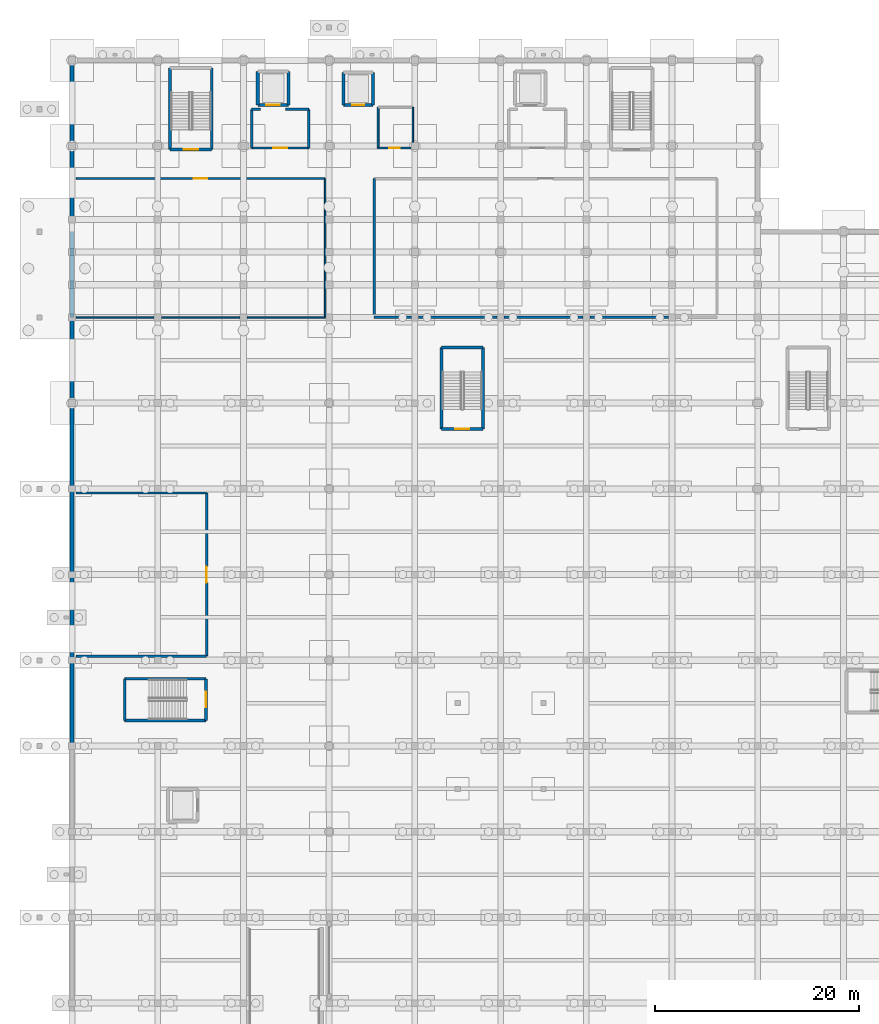
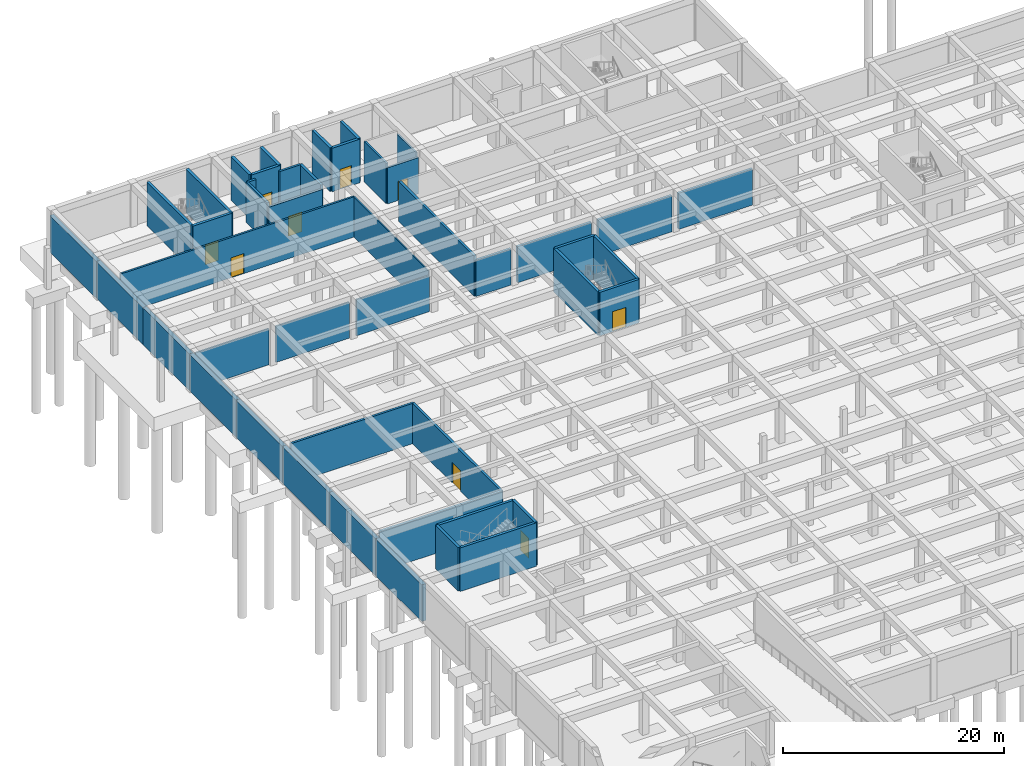
# One storey, part 26 of 51: 46 walls, 9 doors, 9 openings.
"""IFC4 building model written with IfcOpenShell, lengths in metres."""

import ifcopenshell
import ifcopenshell.guid

model = None  # the IFC model being written
_history = None  # IfcOwnerHistory: only IFC2X3 demands one
_inside = {}  # id of a spatial element -> (the spatial element, [elements in it])
_under = {}  # id of a project, library or spatial element -> (it, [spatial elements below it])
_declared = {}  # id of a project -> (the project, [libraries it declares])
_typed = {}  # id of a type object -> (the type object, [elements of that type])
_made_of = {}  # id of a material, layer set ... -> (it, [elements and type objects made of it])


def new_model(schema):
    """Start an empty IFC model of exactly this schema.

    Asked for "IFC4X3", IfcOpenShell would pick the latest addendum, in which some entities
    have other attributes; the version numbers below select the first issue.
    IFC2X3 requires an IfcOwnerHistory on every rooted entity: one is made here for all.
    """
    global model, _history
    if schema == "IFC4X3":
        model = ifcopenshell.file(schema_version=(4, 3, 0, 0))
    else:
        model = ifcopenshell.file(schema=schema)
    _inside.clear()
    _under.clear()
    _declared.clear()
    _typed.clear()
    _made_of.clear()
    _history = None
    if model.schema == "IFC2X3":
        org = make("IfcOrganization", Name="unknown")
        user = make(
            "IfcPersonAndOrganization",
            ThePerson=make("IfcPerson", FamilyName="unknown"),
            TheOrganization=org,
        )
        app = make(
            "IfcApplication",
            ApplicationDeveloper=org,
            Version="unknown",
            ApplicationFullName="unknown",
            ApplicationIdentifier="unknown",
        )
        _history = make(
            "IfcOwnerHistory",
            OwningUser=user,
            OwningApplication=app,
            ChangeAction="ADDED",
            CreationDate=0,
        )
    return model


def make(cls, **values):
    """One entity of the class cls with the attributes given. An attribute that is None is left unset."""
    return model.create_entity(
        cls, **{name: value for name, value in values.items() if value is not None}
    )


def rooted(cls, **values):
    """An entity with a GlobalId (a new one), such as an element, a storey or a relation."""
    return make(cls, GlobalId=ifcopenshell.guid.new(), OwnerHistory=_history, **values)


def si_unit(unit_type, name, prefix=None):
    """IfcSIUnit, for example si_unit("LENGTHUNIT", "METRE", prefix="MILLI")."""
    return make("IfcSIUnit", UnitType=unit_type, Prefix=prefix, Name=name)


def assignment(units):
    """IfcUnitAssignment: the units of a project."""
    return None if units is None else make("IfcUnitAssignment", Units=units)


def point(xyz):
    """IfcCartesianPoint."""
    return None if xyz is None else make("IfcCartesianPoint", Coordinates=xyz)


def direction(xyz):
    """IfcDirection."""
    return None if xyz is None else make("IfcDirection", DirectionRatios=xyz)


def frame(location, z_axis=None, x_axis=None):
    """IfcAxis2Placement3D, a coordinate frame: its origin and axes. An axis left out is left unset."""
    return make(
        "IfcAxis2Placement3D",
        Location=point(location),
        Axis=direction(z_axis),
        RefDirection=direction(x_axis),
    )


def frame_2d(location, x_axis=None):
    """IfcAxis2Placement2D, a coordinate frame in the plane: its origin and x axis."""
    return make(
        "IfcAxis2Placement2D", Location=point(location), RefDirection=direction(x_axis)
    )


def origin():
    """The frame at (0, 0, 0) with its axes left unset."""
    return frame((0.0, 0.0, 0.0))


def place(relative_to, where):
    """IfcLocalPlacement: puts the frame where relative to a parent placement (None: the world)."""
    return make(
        "IfcLocalPlacement", PlacementRelTo=relative_to, RelativePlacement=where
    )


def context(
    kind, dimensions, precision=None, world=None, true_north=None, identifier=None
):
    """IfcGeometricRepresentationContext, for example the 3D "Model" context."""
    return make(
        "IfcGeometricRepresentationContext",
        ContextIdentifier=identifier,
        ContextType=kind,
        CoordinateSpaceDimension=dimensions,
        Precision=precision,
        WorldCoordinateSystem=world,
        TrueNorth=true_north,
    )


def subcontext(parent, identifier, kind, view, scale=None):
    """IfcGeometricRepresentationSubContext, for example "Body" below "Model"."""
    return make(
        "IfcGeometricRepresentationSubContext",
        ContextIdentifier=identifier,
        ContextType=kind,
        ParentContext=parent,
        TargetScale=scale,
        TargetView=view,
    )


def project(units=None, contexts=None):
    """IfcProject with its units and contexts."""
    return rooted(
        "IfcProject",
        Name="project",
        RepresentationContexts=contexts,
        UnitsInContext=assignment(units),
    )


def spatial(cls, under=None, at=None, **own):
    """A site, building, storey or space (cls), placed at a placement, below another one or the project."""
    s = rooted(cls, ObjectPlacement=at, **own)
    if under is not None:
        _under.setdefault(under.id(), (under, []))[1].append(s)
    return s


def profile(cls, at=None, kind="AREA", **sizes):
    """A parametric profile (cls). Its sizes go by their IFC names, for example OverallWidth=200.0."""
    return make(cls, ProfileType=kind, Position=at, **sizes)


def rectangle(**sizes):
    """IfcRectangleProfileDef."""
    return profile("IfcRectangleProfileDef", **sizes)


def extrude(swept, where, along, depth):
    """IfcExtrudedAreaSolid: the profile swept, set in the frame where, extruded along a direction by depth."""
    return make(
        "IfcExtrudedAreaSolid",
        SweptArea=swept,
        Position=where,
        ExtrudedDirection=direction(along),
        Depth=depth,
    )


def shape(context_of_items, identifier, shape_type, items):
    """IfcShapeRepresentation: the items that make up one representation, for example the "Body"."""
    return make(
        "IfcShapeRepresentation",
        ContextOfItems=context_of_items,
        RepresentationIdentifier=identifier,
        RepresentationType=shape_type,
        Items=items,
    )


def material(Name=None, Category=None):
    """IfcMaterial."""
    return make("IfcMaterial", Name=Name, Category=Category)


def layer(
    of_material, thickness, ventilated=None, Name=None, Category=None, Priority=None
):
    """IfcMaterialLayer: one layer of a wall or slab, of a material (None: an air gap)."""
    return make(
        "IfcMaterialLayer",
        Material=of_material,
        LayerThickness=thickness,
        IsVentilated=ventilated,
        Name=Name,
        Category=Category,
        Priority=Priority,
    )


def layer_set(layers, Name=None):
    """IfcMaterialLayerSet."""
    return make("IfcMaterialLayerSet", MaterialLayers=layers, LayerSetName=Name)


def made_of(thing, what):
    """Note that an element or type object is made of a material, layer set ...; save() writes the relation."""
    if what is not None:
        _made_of.setdefault(what.id(), (what, []))[1].append(thing)
    return thing


def type_object(cls, material=None, **own):
    """A type object (cls), such as IfcWallType, which elements share."""
    return made_of(rooted(cls, **own), material)


def element(
    cls,
    number,
    at=None,
    inside=None,
    cuts=None,
    type_object=None,
    material=None,
    context=None,
    identifier="Body",
    shape_type=None,
    held_by="IfcProductDefinitionShape",
    body=None,
    shapes=None,
    **own,
):
    """One element of the class cls, such as IfcWall. Its Tag is "e" and its number.

    at: its placement. inside: the storey or other place that contains it. cuts: it is an
    opening in that element (IfcRelVoidsElement). A single representation is given by context,
    identifier, shape_type and body (its items); several are given by shapes. held_by: the class
    of the entity that holds the representations. save() writes the other relations.
    """
    e = rooted(cls, Tag="e%d" % number, ObjectPlacement=at, **own)
    if body is not None:
        shapes = [shape(context, identifier, shape_type, body)]
    if shapes is not None:
        e.Representation = make(held_by, Representations=shapes)
    if inside is not None:
        _inside.setdefault(inside.id(), (inside, []))[1].append(e)
    if cuts is not None:
        rooted(
            "IfcRelVoidsElement", RelatingBuildingElement=cuts, RelatedOpeningElement=e
        )
    if type_object is not None:
        _typed.setdefault(type_object.id(), (type_object, []))[1].append(e)
    return made_of(e, material)


def fill(opening, filler):
    """IfcRelFillsElement: the door or window that sits in an opening."""
    return rooted(
        "IfcRelFillsElement",
        RelatingOpeningElement=opening,
        RelatedBuildingElement=filler,
    )


def aggregate(whole, parts):
    """IfcRelAggregates: a whole, such as a stair, and the parts it consists of."""
    return rooted("IfcRelAggregates", RelatingObject=whole, RelatedObjects=parts)


def save(model, path):
    """Write the relations noted so far, then the file.

    IfcRelAggregates (storeys below a building ...), IfcRelContainedInSpatialStructure (elements
    in a storey), IfcRelDefinesByType, IfcRelAssociatesMaterial and IfcRelDeclares: one each for
    every whole, place, type object, material and project.
    """
    for whole, parts in _under.values():
        aggregate(whole, parts)
    for where, things in _inside.values():
        rooted(
            "IfcRelContainedInSpatialStructure",
            RelatedElements=things,
            RelatingStructure=where,
        )
    for kind, things in _typed.values():
        rooted("IfcRelDefinesByType", RelatedObjects=things, RelatingType=kind)
    for what, things in _made_of.values():
        rooted("IfcRelAssociatesMaterial", RelatedObjects=things, RelatingMaterial=what)
    for by, libraries in _declared.values():
        rooted("IfcRelDeclares", RelatingContext=by, RelatedDefinitions=libraries)
    model.write(path)


model = new_model("IFC4")

# Units and contexts
model_context = context("Model", 3, precision=1e-05, world=origin(), true_north=direction((0.0, 1.0)))
body_context = subcontext(model_context, "Body", "Model", "MODEL_VIEW")
ifc_project = project(units=[si_unit("LENGTHUNIT", "METRE"), si_unit("AREAUNIT", "SQUARE_METRE"), si_unit("VOLUMEUNIT", "CUBIC_METRE"), si_unit("PLANEANGLEUNIT", "RADIAN"), si_unit("MASSUNIT", "GRAM", prefix="KILO")], contexts=[model_context])

# Site, building, storey
site_placement = place(None, origin())
site = spatial("IfcSite", under=ifc_project, at=site_placement, CompositionType="ELEMENT")
building_placement = place(site_placement, origin())
building = spatial("IfcBuilding", under=site, at=building_placement, Name="Varncliffe General Hospital", CompositionType="ELEMENT")
storey_placement = place(building_placement, frame((0.0, 0.0, -4.800048828125)))
storey = spatial("IfcBuildingStorey", under=building, at=storey_placement, Name="B1", CompositionType="ELEMENT", Elevation=-4.800048828125)

# Walls
ifc_material_1 = material(Name="Concrete C40/50 (CSA A23.1 40 MPa)", Category="concrete")
ifc_layer_1 = layer(ifc_material_1, 0.419921875)
ifc_layer_set_1 = layer_set([ifc_layer_1], Name="Concrete C40/50 (CSA A23.1 40 MPa)")
wall_type_1 = type_object("IfcWallType", Name="Exterior Insulated Stucco Wall EW28 (420mm)", PredefinedType="SOLIDWALL", material=ifc_layer_set_1)
for number, where, z_axis, x_axis, name in (
    (1, (0.0, 57.60009765625, 0.0), (0.0, 0.0, 1.0), (0.0, 1.0, 0.0), "B1 Perimeter Retaining Wall 3"),
    (2, (0.0, 66.0, 0.0), (0.0, 0.0, 1.0), (0.0, 1.0, 0.0), "B1 Perimeter Retaining Wall 4"),
):
    element("IfcWall", number, at=place(storey_placement, frame(where, z_axis=z_axis, x_axis=x_axis)), inside=storey, type_object=wall_type_1, Name=name, PredefinedType="SOLIDWALL", context=body_context, shape_type="SweptSolid", body=[
        extrude(rectangle(XDim=8.39990234375, YDim=0.419921875, at=frame_2d((4.199951171875, 0.0))), origin(), (0.0, 0.0, 1.0), 4.050048828125),
    ])
wall_1_placement = place(storey_placement, frame((0.0, 74.39990234375, 0.0), z_axis=(0.0, 0.0, 1.0), x_axis=(0.0, 1.0, 0.0)))
element("IfcWall", 3, at=wall_1_placement, inside=storey, type_object=wall_type_1, Name="B1 Perimeter Retaining Wall 5", PredefinedType="SOLIDWALL", context=body_context, shape_type="SweptSolid", body=[
    extrude(rectangle(XDim=8.400146484375, YDim=0.419921875, at=frame_2d((4.2001953125, 0.0))), origin(), (0.0, 0.0, 1.0), 4.050048828125),
])
wall_2_placement = place(storey_placement, frame((0.0, 82.800048828125, 0.0), z_axis=(0.0, 0.0, 1.0), x_axis=(0.0, 1.0, 0.0)))
element("IfcWall", 4, at=wall_2_placement, inside=storey, type_object=wall_type_1, Name="B1 Perimeter Retaining Wall 6", PredefinedType="SOLIDWALL", context=body_context, shape_type="SweptSolid", body=[
    extrude(rectangle(XDim=8.39990234375, YDim=0.419921875, at=frame_2d((4.199951171875, 0.0))), origin(), (0.0, 0.0, 1.0), 4.050048828125),
])
wall_3_placement = place(storey_placement, frame((0.0, 91.199951171875, 0.0), z_axis=(0.0, 0.0, 1.0), x_axis=(0.0, 1.0, 0.0)))
element("IfcWall", 5, at=wall_3_placement, inside=storey, type_object=wall_type_1, Name="B1 Perimeter Retaining Wall 7", PredefinedType="SOLIDWALL", context=body_context, shape_type="SweptSolid", body=[
    extrude(rectangle(XDim=8.400146484375, YDim=0.419921875, at=frame_2d((4.2001953125, 0.0))), origin(), (0.0, 0.0, 1.0), 4.050048828125),
])
for number, where, z_axis, x_axis, name in (
    (6, (0.0, 99.60009765625, 0.0), (0.0, 0.0, 1.0), (0.0, 1.0, 0.0), "B1 Perimeter Retaining Wall 8"),
    (7, (0.0, 108.0, 0.0), (0.0, 0.0, 1.0), (0.0, 1.0, 0.0), "B1 Perimeter Retaining Wall 9"),
):
    element("IfcWall", number, at=place(storey_placement, frame(where, z_axis=z_axis, x_axis=x_axis)), inside=storey, type_object=wall_type_1, Name=name, PredefinedType="SOLIDWALL", context=body_context, shape_type="SweptSolid", body=[
        extrude(rectangle(XDim=8.39990234375, YDim=0.419921875, at=frame_2d((4.199951171875, 0.0))), origin(), (0.0, 0.0, 1.0), 4.050048828125),
    ])
wall_4_placement = place(storey_placement, frame((0.0, 116.39990234375, 0.0), z_axis=(0.0, 0.0, 1.0), x_axis=(0.0, 1.0, 0.0)))
element("IfcWall", 8, at=wall_4_placement, inside=storey, type_object=wall_type_1, Name="B1 Perimeter Retaining Wall 10", PredefinedType="SOLIDWALL", context=body_context, shape_type="SweptSolid", body=[
    extrude(rectangle(XDim=8.400146484375, YDim=0.419921875, at=frame_2d((4.2001953125, 0.0))), origin(), (0.0, 0.0, 1.0), 4.050048828125),
])
ifc_material_2 = material(Name="Acoustic clinical gypsum stud partition assembly", Category="gypsum")
ifc_layer_2 = layer(ifc_material_2, 0.1298828125)
ifc_layer_set_2 = layer_set([ifc_layer_2], Name="Acoustic clinical gypsum stud partition assembly")
wall_type_2 = type_object("IfcWallType", Name="Interior Partitioning IW11 (130mm)", PredefinedType="PARTITIONING", material=ifc_layer_set_2)
wall_5_placement = place(storey_placement, frame((24.800048828125, 99.60009765625, 0.0), z_axis=(0.0, 0.0, 1.0), x_axis=(0.0, 1.0, 0.0)))
element("IfcWall", 9, at=wall_5_placement, inside=storey, type_object=wall_type_2, Name="B1 Interior Partition Wall IW11-48", PredefinedType="PARTITIONING", context=body_context, shape_type="SweptSolid", body=[
    extrude(rectangle(XDim=13.599853515625, YDim=0.1298828125, at=frame_2d((6.7998046875, 0.0))), origin(), (0.0, 0.0, 1.0), 4.43994140625),
])
ifc_layer_3 = layer(ifc_material_2, 0.14990234375)
ifc_layer_set_3 = layer_set([ifc_layer_3], Name="Acoustic clinical gypsum stud partition assembly")
wall_type_3 = type_object("IfcWallType", Name="Interior Partitioning IW35 (150mm)", PredefinedType="PARTITIONING", material=ifc_layer_set_3)
wall_6_placement = place(storey_placement, frame((8.764892578125, 99.60009765625, 0.0), z_axis=(0.0, 0.0, 1.0), x_axis=(1.0, 0.0, 0.0)))
element("IfcWall", 10, at=wall_6_placement, inside=storey, type_object=wall_type_3, Name="B1 Interior Partition Wall IW35-14", PredefinedType="PARTITIONING", context=body_context, shape_type="SweptSolid", body=[
    extrude(rectangle(XDim=7.670166015625, YDim=0.14990234375, at=frame_2d((3.8349609375, 0.0))), origin(), (0.0, 0.0, 1.0), 3.985107421875),
])
for number, where, z_axis, x_axis, name in (
    (11, (17.1650390625, 99.60009765625, 0.0), (0.0, 0.0, 1.0), (1.0, 0.0, 0.0), "B1 Interior Partition Wall IW35-15"),
    (12, (0.39990234375, 99.60009765625, 0.0), (0.0, 0.0, 1.0), (1.0, 0.0, 0.0), "B1 Interior Partition Wall IW35-16"),
):
    element("IfcWall", number, at=place(storey_placement, frame(where, z_axis=z_axis, x_axis=x_axis)), inside=storey, type_object=wall_type_3, Name=name, PredefinedType="PARTITIONING", context=body_context, shape_type="SweptSolid", body=[
        extrude(rectangle(XDim=7.635009765625, YDim=0.14990234375, at=frame_2d((3.8173828125, 0.0))), origin(), (0.0, 0.0, 1.0), 3.985107421875),
    ])
ifc_material_3 = material(Name="Fire-rated gypsum and mineral-wool partition assembly", Category="gypsum")
ifc_layer_4 = layer(ifc_material_3, 0.25)
ifc_layer_set_4 = layer_set([ifc_layer_4], Name="Fire-rated gypsum and mineral-wool partition assembly")
wall_type_4 = type_object("IfcWallType", Name="Interior Partitioning PW38 (250mm)", PredefinedType="PARTITIONING", material=ifc_layer_set_4)
wall_7_placement = place(storey_placement, frame((0.39990234375, 66.39990234375, 0.0), z_axis=(0.0, 0.0, 1.0), x_axis=(1.0, 0.0, 0.0)))
element("IfcWall", 13, at=wall_7_placement, inside=storey, type_object=wall_type_4, Name="B1 Interior Partition Wall PW38-11", PredefinedType="PARTITIONING", context=body_context, shape_type="SweptSolid", body=[
    extrude(rectangle(XDim=12.800048828125, YDim=0.25, at=frame_2d((6.39990234375, 0.0))), origin(), (0.0, 0.0, 1.0), 4.43994140625),
])
for number, where, z_axis, x_axis, name in (
    (14, (33.93994140625, 99.60009765625, 0.0), (0.0, 0.0, 1.0), (1.0, 0.0, 0.0), "B1 Interior Partition Wall PW38-17"),
    (15, (42.340087890625, 99.60009765625, 0.0), (0.0, 0.0, 1.0), (1.0, 0.0, 0.0), "B1 Interior Partition Wall PW38-18"),
    (16, (50.739990234375, 99.60009765625, 0.0), (0.0, 0.0, 1.0), (1.0, 0.0, 0.0), "B1 Interior Partition Wall PW38-19"),
):
    element("IfcWall", number, at=place(storey_placement, frame(where, z_axis=z_axis, x_axis=x_axis)), inside=storey, type_object=wall_type_4, Name=name, PredefinedType="PARTITIONING", context=body_context, shape_type="SweptSolid", body=[
        extrude(rectangle(XDim=7.719970703125, YDim=0.25, at=frame_2d((3.85986328125, 0.0))), origin(), (0.0, 0.0, 1.0), 3.985107421875),
    ])
wall_8_placement = place(storey_placement, frame((29.60009765625, 99.60009765625, 0.0), z_axis=(0.0, 0.0, 1.0), x_axis=(1.0, 0.0, 0.0)))
element("IfcWall", 17, at=wall_8_placement, inside=storey, type_object=wall_type_4, Name="B1 Interior Partition Wall PW38-21", PredefinedType="PARTITIONING", context=body_context, shape_type="SweptSolid", body=[
    extrude(rectangle(XDim=3.659912109375, YDim=0.25, at=frame_2d((1.830078125, 0.0))), origin(), (0.0, 0.0, 1.0), 3.985107421875),
])

# Wall, opening, door
wall_9_placement = place(storey_placement, frame((13.199951171875, 66.39990234375, 0.0), z_axis=(0.0, 0.0, 1.0), x_axis=(0.0, 1.0, 0.0)))
wall_9 = element("IfcWall", 18, at=wall_9_placement, inside=storey, type_object=wall_type_4, Name="B1 Interior Partition Wall PW38-45", PredefinedType="PARTITIONING", context=body_context, shape_type="SweptSolid", body=[
    extrude(rectangle(XDim=16.0, YDim=0.25, at=frame_2d((8.0, 0.0))), origin(), (0.0, 0.0, 1.0), 4.43994140625),
])
opening_1_placement = place(wall_9_placement, frame((7.22509765625, 0.0, 0.0)))
opening_1 = element("IfcOpeningElement", 19, at=opening_1_placement, cuts=wall_9, Name="Opening DC67", PredefinedType="OPENING", context=body_context, shape_type="SweptSolid", body=[
    extrude(rectangle(XDim=1.550048828125, YDim=2.25, at=frame_2d((0.77490234375, 1.125))), frame((0.0, 0.135009765625, 0.0), z_axis=(0.0, -1.0, 0.0), x_axis=(1.0, 0.0, 0.0)), (0.0, 0.0, 1.0), 0.27001953125),
])
ifc_material_4 = material(Name="Fire-rated hospital steel-frame vision-panel door", Category="steel")
door_type_1 = type_object("IfcDoorType", Name="Interior Hospital Door DC67 (1550x2250)", OperationType="NOTDEFINED", PredefinedType="DOOR", material=ifc_material_4)
door_1_placement = place(opening_1_placement, origin())
door_1 = element("IfcDoor", 20, at=door_1_placement, inside=storey, type_object=door_type_1, Name="B1 Central Chiller and Medical Gas Hall Door", OperationType="SINGLE_SWING_LEFT", OverallHeight=2.25, OverallWidth=1.550048828125, PredefinedType="DOOR", context=body_context, shape_type="SweptSolid", body=[
    extrude(rectangle(XDim=1.550048828125, YDim=2.25, at=frame_2d((0.77490234375, 1.125))), frame((0.0, 0.02490234375, 0.0), z_axis=(0.0, -1.0, 0.0), x_axis=(1.0, 0.0, 0.0)), (0.0, 0.0, 1.0), 0.050048828125),
])
fill(opening_1, door_1)

# Walls
wall_10_placement = place(storey_placement, frame((23.199951171875, 116.199951171875, 0.0), z_axis=(0.0, 0.0, 1.0), x_axis=(0.0, 1.0, 0.0)))
element("IfcWall", 21, at=wall_10_placement, inside=storey, type_object=wall_type_4, Name="B1 Interior Partition Wall PW38-47", PredefinedType="PARTITIONING", context=body_context, shape_type="SweptSolid", body=[
    extrude(rectangle(XDim=3.800048828125, YDim=0.25, at=frame_2d((1.89990234375, 0.0))), origin(), (0.0, 0.0, 1.0), 4.43994140625),
])
wall_11_placement = place(storey_placement, frame((29.60009765625, 99.60009765625, 0.0), z_axis=(0.0, 0.0, 1.0), x_axis=(0.0, 1.0, 0.0)))
element("IfcWall", 22, at=wall_11_placement, inside=storey, type_object=wall_type_4, Name="B1 Interior Partition Wall PW38-49", PredefinedType="PARTITIONING", context=body_context, shape_type="SweptSolid", body=[
    extrude(rectangle(XDim=13.599853515625, YDim=0.25, at=frame_2d((6.7998046875, 0.0))), origin(), (0.0, 0.0, 1.0), 4.43994140625),
])
ifc_layer_5 = layer(ifc_material_3, 0.22998046875)
ifc_layer_set_5 = layer_set([ifc_layer_5], Name="Fire-rated gypsum and mineral-wool partition assembly")
wall_type_5 = type_object("IfcWallType", Name="Interior Partitioning PW48 (230mm)", PredefinedType="PARTITIONING", material=ifc_layer_set_5)
wall_12_placement = place(storey_placement, frame((0.39990234375, 82.39990234375, 0.0), z_axis=(0.0, 0.0, 1.0), x_axis=(1.0, 0.0, 0.0)))
element("IfcWall", 23, at=wall_12_placement, inside=storey, type_object=wall_type_5, Name="B1 Interior Partition Wall PW48-12", PredefinedType="PARTITIONING", context=body_context, shape_type="SweptSolid", body=[
    extrude(rectangle(XDim=12.800048828125, YDim=0.22998046875, at=frame_2d((6.39990234375, 0.0))), origin(), (0.0, 0.0, 1.0), 4.43994140625),
])

# Wall, opening, door
wall_13_placement = place(storey_placement, frame((17.60009765625, 116.199951171875, 0.0), z_axis=(0.0, 0.0, 1.0), x_axis=(1.0, 0.0, 0.0)))
wall_13 = element("IfcWall", 24, at=wall_13_placement, inside=storey, type_object=wall_type_5, Name="B1 Interior Partition Wall PW48-30", PredefinedType="PARTITIONING", context=body_context, shape_type="SweptSolid", body=[
    extrude(rectangle(XDim=5.599853515625, YDim=0.22998046875, at=frame_2d((2.7998046875, 0.0))), origin(), (0.0, 0.0, 1.0), 3.985107421875),
])
opening_2_placement = place(wall_13_placement, frame((2.10009765625, 0.0, 0.0)))
opening_2 = element("IfcOpeningElement", 25, at=opening_2_placement, cuts=wall_13, Name="Opening DF81", PredefinedType="OPENING", context=body_context, shape_type="SweptSolid", body=[
    extrude(rectangle(XDim=1.39990234375, YDim=2.199951171875, at=frame_2d((0.699951171875, 1.10009765625))), frame((0.0, 0.125, 0.0), z_axis=(0.0, -1.0, 0.0), x_axis=(1.0, 0.0, 0.0)), (0.0, 0.0, 1.0), 0.25),
])
door_type_2 = type_object("IfcDoorType", Name="Interior Hospital Door DF81 (1400x2200)", OperationType="NOTDEFINED", PredefinedType="DOOR", material=ifc_material_4)
door_2_placement = place(opening_2_placement, origin())
door_2 = element("IfcDoor", 26, at=door_2_placement, inside=storey, type_object=door_type_2, Name="B1 Firefighting Lift Lobby LF01 Door", OperationType="SINGLE_SWING_LEFT", OverallHeight=2.199951171875, OverallWidth=1.39990234375, PredefinedType="DOOR", context=body_context, shape_type="SweptSolid", body=[
    extrude(rectangle(XDim=1.39990234375, YDim=2.199951171875, at=frame_2d((0.699951171875, 1.10009765625))), frame((0.0, 0.02490234375, 0.0), z_axis=(0.0, -1.0, 0.0), x_axis=(1.0, 0.0, 0.0)), (0.0, 0.0, 1.0), 0.050048828125),
])
fill(opening_2, door_2)

# Walls
wall_14_placement = place(storey_placement, frame((20.935791015625, 120.0, 0.0), z_axis=(0.0, 0.0, 1.0), x_axis=(1.0, 0.0, 0.0)))
element("IfcWall", 27, at=wall_14_placement, inside=storey, type_object=wall_type_5, Name="B1 Interior Partition Wall PW48-36", PredefinedType="PARTITIONING", context=body_context, shape_type="SweptSolid", body=[
    extrude(rectangle(XDim=2.26416015625, YDim=0.22998046875, at=frame_2d((1.132080078125, 0.0))), origin(), (0.0, 0.0, 1.0), 4.43994140625),
])
wall_15_placement = place(storey_placement, frame((17.60009765625, 120.0, 0.0), z_axis=(0.0, 0.0, 1.0), x_axis=(1.0, 0.0, 0.0)))
element("IfcWall", 28, at=wall_15_placement, inside=storey, type_object=wall_type_5, Name="B1 Interior Partition Wall PW48-37", PredefinedType="PARTITIONING", context=body_context, shape_type="SweptSolid", body=[
    extrude(rectangle(XDim=0.864013671875, YDim=0.22998046875, at=frame_2d((0.43212890625, 0.0))), origin(), (0.0, 0.0, 1.0), 4.43994140625),
])
wall_16_placement = place(storey_placement, frame((17.60009765625, 116.199951171875, 0.0), z_axis=(0.0, 0.0, 1.0), x_axis=(0.0, 1.0, 0.0)))
element("IfcWall", 29, at=wall_16_placement, inside=storey, type_object=wall_type_5, Name="B1 Interior Partition Wall PW48-46", PredefinedType="PARTITIONING", context=body_context, shape_type="SweptSolid", body=[
    extrude(rectangle(XDim=3.800048828125, YDim=0.22998046875, at=frame_2d((1.89990234375, 0.0))), origin(), (0.0, 0.0, 1.0), 4.43994140625),
])

# Wall, opening, door
ifc_layer_6 = layer(ifc_material_3, 0.199951171875)
ifc_layer_set_6 = layer_set([ifc_layer_6], Name="Fire-rated gypsum and mineral-wool partition assembly")
wall_type_6 = type_object("IfcWallType", Name="Interior Partitioning PW63 (200mm)", PredefinedType="PARTITIONING", material=ifc_layer_set_6)
wall_17_placement = place(storey_placement, frame((0.39990234375, 113.199951171875, 0.0), z_axis=(0.0, 0.0, 1.0), x_axis=(1.0, 0.0, 0.0)))
wall_17 = element("IfcWall", 30, at=wall_17_placement, inside=storey, type_object=wall_type_6, Name="B1 Interior Partition Wall PW63-27", PredefinedType="PARTITIONING", context=body_context, shape_type="SweptSolid", body=[
    extrude(rectangle(XDim=24.400146484375, YDim=0.199951171875, at=frame_2d((12.2001953125, 0.0))), origin(), (0.0, 0.0, 1.0), 4.43994140625),
])
opening_3_placement = place(wall_17_placement, frame((11.52490234375, 0.0, 0.0)))
opening_3 = element("IfcOpeningElement", 31, at=opening_3_placement, cuts=wall_17, Name="Opening DC85", PredefinedType="OPENING", context=body_context, shape_type="SweptSolid", body=[
    extrude(rectangle(XDim=1.35009765625, YDim=2.199951171875, at=frame_2d((0.675048828125, 1.10009765625))), frame((0.0, 0.10986328125, 0.0), z_axis=(0.0, -1.0, 0.0), x_axis=(1.0, 0.0, 0.0)), (0.0, 0.0, 1.0), 0.219970703125),
])
door_type_3 = type_object("IfcDoorType", Name="Interior Hospital Door DC85 (1350x2200)", OperationType="NOTDEFINED", PredefinedType="DOOR", material=ifc_material_4)
door_3_placement = place(opening_3_placement, frame((1.35009765625, 0.0, 0.0), z_axis=(0.0, 0.0, 1.0), x_axis=(-1.0, 0.0, 0.0)))
door_3 = element("IfcDoor", 32, at=door_3_placement, inside=storey, type_object=door_type_3, Name="B1 Underground Service Loading Dock Door", OperationType="SINGLE_SWING_RIGHT", OverallHeight=2.199951171875, OverallWidth=1.35009765625, PredefinedType="DOOR", context=body_context, shape_type="SweptSolid", body=[
    extrude(rectangle(XDim=1.35009765625, YDim=2.199951171875, at=frame_2d((0.675048828125, 1.10009765625))), frame((0.0, 0.02490234375, 0.0), z_axis=(0.0, -1.0, 0.0), x_axis=(1.0, 0.0, 0.0)), (0.0, 0.0, 1.0), 0.050048828125),
])
fill(opening_3, door_3)

wall_18_placement = place(storey_placement, frame((30.0, 116.199951171875, 0.0), z_axis=(0.0, 0.0, 1.0), x_axis=(1.0, 0.0, 0.0)))
wall_18 = element("IfcWall", 33, at=wall_18_placement, inside=storey, type_object=wall_type_6, Name="B1 Interior Partition Wall PW63-31", PredefinedType="PARTITIONING", context=body_context, shape_type="SweptSolid", body=[
    extrude(rectangle(XDim=3.235107421875, YDim=0.199951171875, at=frame_2d((1.61767578125, 0.0))), origin(), (0.0, 0.0, 1.0), 3.985107421875),
])
opening_4_placement = place(wall_18_placement, frame((1.097412109375, 0.0, 0.0)))
opening_4 = element("IfcOpeningElement", 34, at=opening_4_placement, cuts=wall_18, Name="Opening DI77", PredefinedType="OPENING", context=body_context, shape_type="SweptSolid", body=[
    extrude(rectangle(XDim=1.0400390625, YDim=2.10009765625, at=frame_2d((0.52001953125, 1.050048828125))), frame((0.0, 0.10986328125, 0.0), z_axis=(0.0, -1.0, 0.0), x_axis=(1.0, 0.0, 0.0)), (0.0, 0.0, 1.0), 0.219970703125),
])
ifc_material_5 = material(Name="Solid-core antimicrobial hospital oak veneer door", Category="wood")
door_type_4 = type_object("IfcDoorType", Name="Interior Hospital Door DI77 (1040x2100)", OperationType="NOTDEFINED", PredefinedType="DOOR", material=ifc_material_5)
door_4_placement = place(opening_4_placement, origin())
door_4 = element("IfcDoor", 35, at=door_4_placement, inside=storey, type_object=door_type_4, Name="B1 Accessible WC B1-W Door", OperationType="SINGLE_SWING_RIGHT", OverallHeight=2.10009765625, OverallWidth=1.0400390625, PredefinedType="DOOR", context=body_context, shape_type="SweptSolid", body=[
    extrude(rectangle(XDim=1.0400390625, YDim=2.10009765625, at=frame_2d((0.52001953125, 1.050048828125))), frame((0.0, 0.02490234375, 0.0), z_axis=(0.0, -1.0, 0.0), x_axis=(1.0, 0.0, 0.0)), (0.0, 0.0, 1.0), 0.050048828125),
])
fill(opening_4, door_4)

# Walls
ifc_material_6 = material(Name="Moisture-resistant plumbing chase wall assembly", Category="gypsum")
ifc_layer_7 = layer(ifc_material_6, 0.18994140625)
ifc_layer_set_7 = layer_set([ifc_layer_7], Name="Moisture-resistant plumbing chase wall assembly")
wall_type_7 = type_object("IfcWallType", Name="Interior Plumbingwall MW17 (190mm)", PredefinedType="PLUMBINGWALL", material=ifc_layer_set_7)
wall_19_placement = place(storey_placement, frame((30.0, 116.199951171875, 0.0), z_axis=(0.0, 0.0, 1.0), x_axis=(0.0, 1.0, 0.0)))
element("IfcWall", 36, at=wall_19_placement, inside=storey, type_object=wall_type_7, Name="B1 Interior Plumbing Wall MW17-50", PredefinedType="PLUMBINGWALL", context=body_context, shape_type="SweptSolid", body=[
    extrude(rectangle(XDim=4.0, YDim=0.18994140625, at=frame_2d((2.0, 0.0))), origin(), (0.0, 0.0, 1.0), 4.43994140625),
])
ifc_layer_8 = layer(ifc_material_6, 0.159912109375)
ifc_layer_set_8 = layer_set([ifc_layer_8], Name="Moisture-resistant plumbing chase wall assembly")
wall_type_8 = type_object("IfcWallType", Name="Interior Plumbingwall MW31 (160mm)", PredefinedType="PLUMBINGWALL", material=ifc_layer_set_8)
wall_20_placement = place(storey_placement, frame((33.39990234375, 116.764892578125, 0.0), z_axis=(0.0, 0.0, 1.0), x_axis=(0.0, 1.0, 0.0)))
element("IfcWall", 37, at=wall_20_placement, inside=storey, type_object=wall_type_8, Name="B1 Interior Plumbing Wall MW31-51", PredefinedType="PLUMBINGWALL", context=body_context, shape_type="SweptSolid", body=[
    extrude(rectangle(XDim=3.43505859375, YDim=0.159912109375, at=frame_2d((1.717529296875, 0.0))), origin(), (0.0, 0.0, 1.0), 4.0849609375),
])

# Wall, opening, door
ifc_layer_9 = layer(ifc_material_1, 0.300048828125)
ifc_layer_set_9 = layer_set([ifc_layer_9], Name="Concrete C40/50 (CSA A23.1 40 MPa)")
wall_type_9 = type_object("IfcWallType", Name="Reinforced Concrete Core Shear Wall CW12 (300mm)", PredefinedType="SHEAR", material=ifc_layer_set_9)
wall_21_placement = place(storey_placement, frame((18.199951171875, 120.39990234375, 0.0), z_axis=(0.0, 0.0, 1.0), x_axis=(1.0, 0.0, 0.0)))
wall_21 = element("IfcWall", 38, at=wall_21_placement, inside=storey, type_object=wall_type_9, Name="B1 LF01 Elevator Shaft Wall South", PredefinedType="SHEAR", context=body_context, shape_type="SweptSolid", body=[
    extrude(rectangle(XDim=3.0, YDim=0.300048828125, at=frame_2d((1.5, 0.0))), origin(), (0.0, 0.0, 1.0), 4.800048828125),
])
opening_5_placement = place(wall_21_placement, frame((0.85009765625, 0.0, 0.0)))
opening_5 = element("IfcOpeningElement", 39, at=opening_5_placement, cuts=wall_21, Name="Opening LD02", PredefinedType="OPENING", context=body_context, shape_type="SweptSolid", body=[
    extrude(rectangle(XDim=1.300048828125, YDim=2.199951171875, at=frame_2d((0.64990234375, 1.10009765625))), frame((0.0, 0.16015625, 0.0), z_axis=(0.0, -1.0, 0.0), x_axis=(1.0, 0.0, 0.0)), (0.0, 0.0, 1.0), 0.320068359375),
])
ifc_material_7 = material(Name="Brushed stainless-steel sliding elevator landing door", Category="steel")
door_type_5 = type_object("IfcDoorType", Name="Lift Landing Door LD02 (1300x2200)", OperationType="DOUBLE_DOOR_SLIDING", PredefinedType="DOOR", material=ifc_material_7)
door_5_placement = place(opening_5_placement, origin())
door_5 = element("IfcDoor", 40, at=door_5_placement, inside=storey, type_object=door_type_5, Name="Lift Landing Door LF01 B1", OperationType="DOUBLE_DOOR_SLIDING", OverallHeight=2.199951171875, OverallWidth=1.300048828125, PredefinedType="DOOR", context=body_context, shape_type="SweptSolid", body=[
    extrude(rectangle(XDim=1.300048828125, YDim=2.199951171875, at=frame_2d((0.64990234375, 1.10009765625))), frame((0.0, 0.02490234375, 0.0), z_axis=(0.0, -1.0, 0.0), x_axis=(1.0, 0.0, 0.0)), (0.0, 0.0, 1.0), 0.050048828125),
])
fill(opening_5, door_5)

# Walls
for number, where, z_axis, x_axis, name in (
    (41, (21.199951171875, 120.39990234375, 0.0), (0.0, 0.0, 1.0), (0.0, 1.0, 0.0), "B1 LF01 Elevator Shaft Wall East"),
    (42, (18.199951171875, 123.699951171875, 0.0), (0.0, 0.0, 1.0), (0.0, -1.0, 0.0), "B1 LF01 Elevator Shaft Wall West"),
):
    element("IfcWall", number, at=place(storey_placement, frame(where, z_axis=z_axis, x_axis=x_axis)), inside=storey, type_object=wall_type_9, Name=name, PredefinedType="SHEAR", context=body_context, shape_type="SweptSolid", body=[
        extrude(rectangle(XDim=3.300048828125, YDim=0.300048828125, at=frame_2d((1.64990234375, 0.0))), origin(), (0.0, 0.0, 1.0), 4.800048828125),
    ])

# Wall, opening, door
wall_22_placement = place(storey_placement, frame((26.60009765625, 120.39990234375, 0.0), z_axis=(0.0, 0.0, 1.0), x_axis=(1.0, 0.0, 0.0)))
wall_22 = element("IfcWall", 43, at=wall_22_placement, inside=storey, type_object=wall_type_9, Name="B1 LF04 Elevator Shaft Wall South", PredefinedType="SHEAR", context=body_context, shape_type="SweptSolid", body=[
    extrude(rectangle(XDim=2.89990234375, YDim=0.300048828125, at=frame_2d((1.449951171875, 0.0))), origin(), (0.0, 0.0, 1.0), 4.800048828125),
])
opening_6_placement = place(wall_22_placement, frame((0.85009765625, 0.0, 0.0)))
opening_6 = element("IfcOpeningElement", 44, at=opening_6_placement, cuts=wall_22, Name="Opening LD01", PredefinedType="OPENING", context=body_context, shape_type="SweptSolid", body=[
    extrude(rectangle(XDim=1.199951171875, YDim=2.199951171875, at=frame_2d((0.60009765625, 1.10009765625))), frame((0.0, 0.16015625, 0.0), z_axis=(0.0, -1.0, 0.0), x_axis=(1.0, 0.0, 0.0)), (0.0, 0.0, 1.0), 0.320068359375),
])
door_type_6 = type_object("IfcDoorType", Name="Lift Landing Door LD01 (1200x2200)", OperationType="DOUBLE_DOOR_SLIDING", PredefinedType="DOOR", material=ifc_material_7)
door_6_placement = place(opening_6_placement, origin())
door_6 = element("IfcDoor", 45, at=door_6_placement, inside=storey, type_object=door_type_6, Name="Lift Landing Door LF04 B1", OperationType="DOUBLE_DOOR_SLIDING", OverallHeight=2.199951171875, OverallWidth=1.199951171875, PredefinedType="DOOR", context=body_context, shape_type="SweptSolid", body=[
    extrude(rectangle(XDim=1.199951171875, YDim=2.199951171875, at=frame_2d((0.60009765625, 1.10009765625))), frame((0.0, 0.02490234375, 0.0), z_axis=(0.0, -1.0, 0.0), x_axis=(1.0, 0.0, 0.0)), (0.0, 0.0, 1.0), 0.050048828125),
])
fill(opening_6, door_6)

# Walls
for number, where, z_axis, x_axis, name in (
    (46, (29.5, 120.39990234375, 0.0), (0.0, 0.0, 1.0), (0.0, 1.0, 0.0), "B1 LF04 Elevator Shaft Wall East"),
    (47, (26.60009765625, 123.60009765625, 0.0), (0.0, 0.0, 1.0), (0.0, -1.0, 0.0), "B1 LF04 Elevator Shaft Wall West"),
):
    element("IfcWall", number, at=place(storey_placement, frame(where, z_axis=z_axis, x_axis=x_axis)), inside=storey, type_object=wall_type_9, Name=name, PredefinedType="SHEAR", context=body_context, shape_type="SweptSolid", body=[
        extrude(rectangle(XDim=3.2001953125, YDim=0.300048828125, at=frame_2d((1.60009765625, 0.0))), origin(), (0.0, 0.0, 1.0), 4.800048828125),
    ])
ifc_layer_10 = layer(ifc_material_1, 0.280029296875)
ifc_layer_set_10 = layer_set([ifc_layer_10], Name="Concrete C40/50 (CSA A23.1 40 MPa)")
wall_type_10 = type_object("IfcWallType", Name="Reinforced Concrete Core Shear Wall CW13 (280mm)", PredefinedType="SHEAR", material=ifc_layer_set_10)
for number, where, z_axis, x_axis, name in (
    (48, (13.68994140625, 116.06005859375, 0.0), (0.0, 0.0, 1.0), (0.0, 1.0, 0.0), "B1 ST01 Core Shear Wall L"),
    (49, (9.610107421875, 124.0400390625, 0.0), (0.0, 0.0, 1.0), (0.0, -1.0, 0.0), "B1 ST01 Core Shear Wall R"),
):
    element("IfcWall", number, at=place(storey_placement, frame(where, z_axis=z_axis, x_axis=x_axis)), inside=storey, type_object=wall_type_10, Name=name, PredefinedType="SHEAR", context=body_context, shape_type="SweptSolid", body=[
        extrude(rectangle(XDim=7.97998046875, YDim=0.280029296875, at=frame_2d((3.989990234375, 0.0))), origin(), (0.0, 0.0, 1.0), 4.800048828125),
    ])

# Wall, opening, door
wall_23_placement = place(storey_placement, frame((9.610107421875, 116.06005859375, 0.0), z_axis=(0.0, 0.0, 1.0), x_axis=(1.0, 0.0, 0.0)))
wall_23 = element("IfcWall", 50, at=wall_23_placement, inside=storey, type_object=wall_type_10, Name="B1 ST01 Core Shear Wall N", PredefinedType="SHEAR", context=body_context, shape_type="SweptSolid", body=[
    extrude(rectangle(XDim=4.079833984375, YDim=0.280029296875, at=frame_2d((2.0400390625, 0.0))), origin(), (0.0, 0.0, 1.0), 4.800048828125),
])
opening_7_placement = place(wall_23_placement, frame((1.340087890625, 0.0, 0.0)))
opening_7 = element("IfcOpeningElement", 51, at=opening_7_placement, cuts=wall_23, Name="Opening DF81", PredefinedType="OPENING", context=body_context, shape_type="SweptSolid", body=[
    extrude(rectangle(XDim=1.39990234375, YDim=2.199951171875, at=frame_2d((0.699951171875, 1.10009765625))), frame((0.0, 0.14990234375, 0.0), z_axis=(0.0, -1.0, 0.0), x_axis=(1.0, 0.0, 0.0)), (0.0, 0.0, 1.0), 0.300048828125),
])
door_7_placement = place(opening_7_placement, frame((1.39990234375, 0.0, 0.0), z_axis=(0.0, 0.0, 1.0), x_axis=(-1.0, 0.0, 0.0)))
door_7 = element("IfcDoor", 52, at=door_7_placement, inside=storey, type_object=door_type_2, Name="B1 ST01 Protected Exit Stair Door", OperationType="SINGLE_SWING_LEFT", OverallHeight=2.199951171875, OverallWidth=1.39990234375, PredefinedType="DOOR", context=body_context, shape_type="SweptSolid", body=[
    extrude(rectangle(XDim=1.39990234375, YDim=2.199951171875, at=frame_2d((0.699951171875, 1.10009765625))), frame((0.0, 0.02490234375, 0.0), z_axis=(0.0, -1.0, 0.0), x_axis=(1.0, 0.0, 0.0)), (0.0, 0.0, 1.0), 0.050048828125),
])
fill(opening_7, door_7)

# Walls
wall_24_placement = place(storey_placement, frame((13.139892578125, 64.18994140625, 0.0), z_axis=(0.0, 0.0, 1.0), x_axis=(-1.0, 0.0, 0.0)))
element("IfcWall", 53, at=wall_24_placement, inside=storey, type_object=wall_type_10, Name="B1 ST05 Core Shear Wall L", PredefinedType="SHEAR", context=body_context, shape_type="SweptSolid", body=[
    extrude(rectangle(XDim=7.97998046875, YDim=0.280029296875, at=frame_2d((3.989990234375, 0.0))), origin(), (0.0, 0.0, 1.0), 4.800048828125),
])
wall_25_placement = place(storey_placement, frame((5.159912109375, 64.18994140625, 0.0), z_axis=(0.0, 0.0, 1.0), x_axis=(0.0, -1.0, 0.0)))
element("IfcWall", 54, at=wall_25_placement, inside=storey, type_object=wall_type_10, Name="B1 ST05 Core Shear Wall F", PredefinedType="SHEAR", context=body_context, shape_type="SweptSolid", body=[
    extrude(rectangle(XDim=4.079833984375, YDim=0.280029296875, at=frame_2d((2.0400390625, 0.0))), origin(), (0.0, 0.0, 1.0), 4.800048828125),
])
wall_26_placement = place(storey_placement, frame((5.159912109375, 60.110107421875, 0.0), z_axis=(0.0, 0.0, 1.0), x_axis=(1.0, 0.0, 0.0)))
element("IfcWall", 55, at=wall_26_placement, inside=storey, type_object=wall_type_10, Name="B1 ST05 Core Shear Wall R", PredefinedType="SHEAR", context=body_context, shape_type="SweptSolid", body=[
    extrude(rectangle(XDim=7.97998046875, YDim=0.280029296875, at=frame_2d((3.989990234375, 0.0))), origin(), (0.0, 0.0, 1.0), 4.800048828125),
])

# Wall, opening, door
wall_27_placement = place(storey_placement, frame((13.139892578125, 60.110107421875, 0.0), z_axis=(0.0, 0.0, 1.0), x_axis=(0.0, 1.0, 0.0)))
wall_27 = element("IfcWall", 56, at=wall_27_placement, inside=storey, type_object=wall_type_10, Name="B1 ST05 Core Shear Wall N", PredefinedType="SHEAR", context=body_context, shape_type="SweptSolid", body=[
    extrude(rectangle(XDim=4.079833984375, YDim=0.280029296875, at=frame_2d((2.0400390625, 0.0))), origin(), (0.0, 0.0, 1.0), 4.800048828125),
])
opening_8_placement = place(wall_27_placement, frame((1.2900390625, 0.0, 0.0)))
opening_8 = element("IfcOpeningElement", 57, at=opening_8_placement, cuts=wall_27, Name="Opening DF28", PredefinedType="OPENING", context=body_context, shape_type="SweptSolid", body=[
    extrude(rectangle(XDim=1.5, YDim=2.199951171875, at=frame_2d((0.75, 1.10009765625))), frame((0.0, 0.14990234375, 0.0), z_axis=(0.0, -1.0, 0.0), x_axis=(1.0, 0.0, 0.0)), (0.0, 0.0, 1.0), 0.300048828125),
])
door_type_7 = type_object("IfcDoorType", Name="Interior Hospital Door DF28 (1500x2200)", OperationType="NOTDEFINED", PredefinedType="DOOR", material=ifc_material_4)
door_8_placement = place(opening_8_placement, frame((1.5, 0.0, 0.0), z_axis=(0.0, 0.0, 1.0), x_axis=(-1.0, 0.0, 0.0)))
door_8 = element("IfcDoor", 58, at=door_8_placement, inside=storey, type_object=door_type_7, Name="B1 ST05 Protected Exit Stair Door", OperationType="SINGLE_SWING_LEFT", OverallHeight=2.199951171875, OverallWidth=1.5, PredefinedType="DOOR", context=body_context, shape_type="SweptSolid", body=[
    extrude(rectangle(XDim=1.5, YDim=2.199951171875, at=frame_2d((0.75, 1.10009765625))), frame((0.0, 0.02490234375, 0.0), z_axis=(0.0, -1.0, 0.0), x_axis=(1.0, 0.0, 0.0)), (0.0, 0.0, 1.0), 0.050048828125),
])
fill(opening_8, door_8)

# Walls
wall_28_placement = place(storey_placement, frame((40.2900390625, 88.659912109375, 0.0), z_axis=(0.0, 0.0, 1.0), x_axis=(0.0, 1.0, 0.0)))
element("IfcWall", 59, at=wall_28_placement, inside=storey, type_object=wall_type_10, Name="B1 ST13 Core Shear Wall L", PredefinedType="SHEAR", context=body_context, shape_type="SweptSolid", body=[
    extrude(rectangle(XDim=7.97998046875, YDim=0.280029296875, at=frame_2d((3.989990234375, 0.0))), origin(), (0.0, 0.0, 1.0), 4.800048828125),
])
wall_29_placement = place(storey_placement, frame((40.2900390625, 96.639892578125, 0.0), z_axis=(0.0, 0.0, 1.0), x_axis=(-1.0, 0.0, 0.0)))
element("IfcWall", 60, at=wall_29_placement, inside=storey, type_object=wall_type_10, Name="B1 ST13 Core Shear Wall F", PredefinedType="SHEAR", context=body_context, shape_type="SweptSolid", body=[
    extrude(rectangle(XDim=4.080078125, YDim=0.280029296875, at=frame_2d((2.0400390625, 0.0))), origin(), (0.0, 0.0, 1.0), 4.800048828125),
])
wall_30_placement = place(storey_placement, frame((36.2099609375, 96.639892578125, 0.0), z_axis=(0.0, 0.0, 1.0), x_axis=(0.0, -1.0, 0.0)))
element("IfcWall", 61, at=wall_30_placement, inside=storey, type_object=wall_type_10, Name="B1 ST13 Core Shear Wall R", PredefinedType="SHEAR", context=body_context, shape_type="SweptSolid", body=[
    extrude(rectangle(XDim=7.97998046875, YDim=0.280029296875, at=frame_2d((3.989990234375, 0.0))), origin(), (0.0, 0.0, 1.0), 4.800048828125),
])

# Wall, opening, door
wall_31_placement = place(storey_placement, frame((36.2099609375, 88.659912109375, 0.0), z_axis=(0.0, 0.0, 1.0), x_axis=(1.0, 0.0, 0.0)))
wall_31 = element("IfcWall", 62, at=wall_31_placement, inside=storey, type_object=wall_type_10, Name="B1 ST13 Core Shear Wall N", PredefinedType="SHEAR", context=body_context, shape_type="SweptSolid", body=[
    extrude(rectangle(XDim=4.080078125, YDim=0.280029296875, at=frame_2d((2.0400390625, 0.0))), origin(), (0.0, 0.0, 1.0), 4.800048828125),
])
opening_9_placement = place(wall_31_placement, frame((1.340087890625, 0.0, 0.0)))
opening_9 = element("IfcOpeningElement", 63, at=opening_9_placement, cuts=wall_31, Name="Opening DF81", PredefinedType="OPENING", context=body_context, shape_type="SweptSolid", body=[
    extrude(rectangle(XDim=1.39990234375, YDim=2.199951171875, at=frame_2d((0.699951171875, 1.10009765625))), frame((0.0, 0.14990234375, 0.0), z_axis=(0.0, -1.0, 0.0), x_axis=(1.0, 0.0, 0.0)), (0.0, 0.0, 1.0), 0.300048828125),
])
door_9_placement = place(opening_9_placement, frame((1.39990234375, 0.0, 0.0), z_axis=(0.0, 0.0, 1.0), x_axis=(-1.0, 0.0, 0.0)))
door_9 = element("IfcDoor", 64, at=door_9_placement, inside=storey, type_object=door_type_2, Name="B1 ST13 Protected Exit Stair Door", OperationType="SINGLE_SWING_LEFT", OverallHeight=2.199951171875, OverallWidth=1.39990234375, PredefinedType="DOOR", context=body_context, shape_type="SweptSolid", body=[
    extrude(rectangle(XDim=1.39990234375, YDim=2.199951171875, at=frame_2d((0.699951171875, 1.10009765625))), frame((0.0, 0.02490234375, 0.0), z_axis=(0.0, -1.0, 0.0), x_axis=(1.0, 0.0, 0.0)), (0.0, 0.0, 1.0), 0.050048828125),
])
fill(opening_9, door_9)

save(model, "model.ifc")
